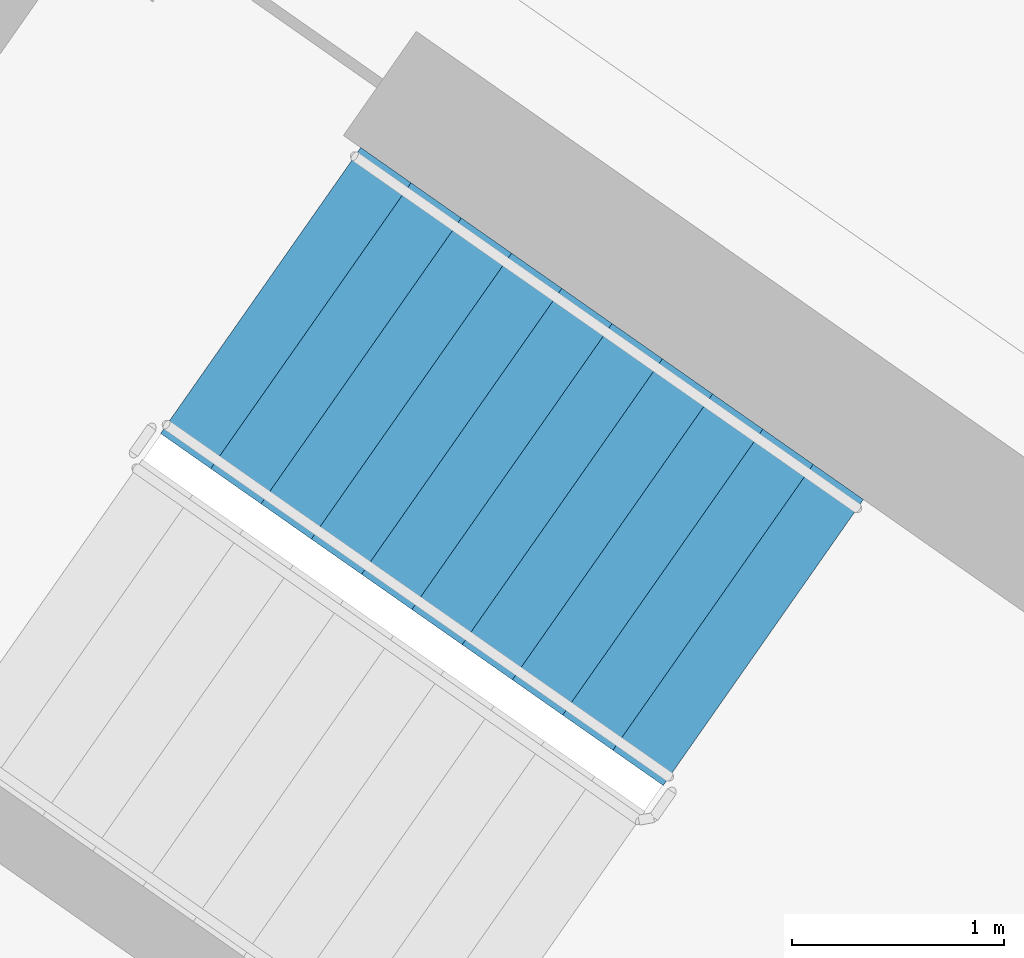
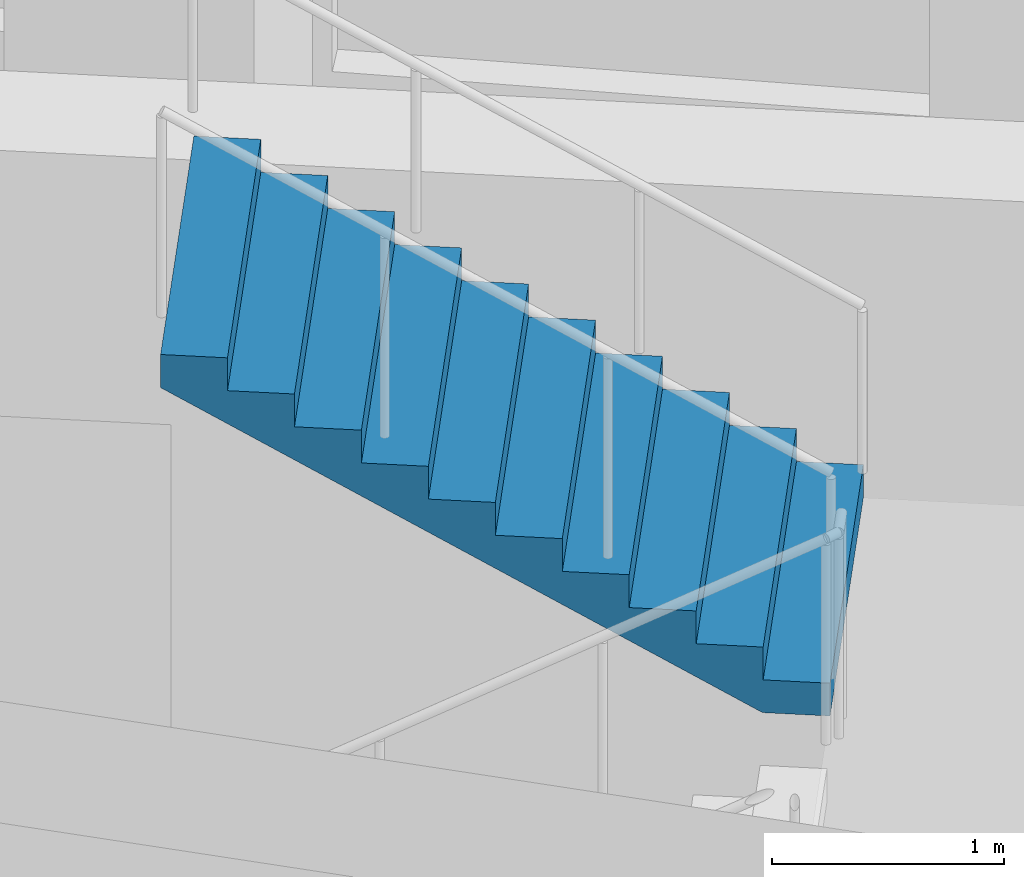
# One storey, part 12 of 27: 1 stair flight, 1 element without a shape of its own.
"""IFC4 building model written with IfcOpenShell, lengths in metres."""

from ifc_helpers import new_model, si_unit, direction, frame, origin, place, context, subcontext, project, spatial, faceted_brep, material, type_object, element, aggregate, save


model = new_model("IFC4")

# Units and contexts
model_context = context("Model", 3, precision=1e-05, world=origin(), true_north=direction((0.0, 1.0)))
body_context = subcontext(model_context, "Body", "Model", "MODEL_VIEW")
ifc_project = project(units=[si_unit("LENGTHUNIT", "METRE"), si_unit("AREAUNIT", "SQUARE_METRE"), si_unit("VOLUMEUNIT", "CUBIC_METRE"), si_unit("PLANEANGLEUNIT", "RADIAN"), si_unit("MASSUNIT", "GRAM", prefix="KILO")], contexts=[model_context])

# Site, building, storey
site_placement = place(None, origin())
site = spatial("IfcSite", under=ifc_project, at=site_placement, CompositionType="ELEMENT")
building_placement = place(site_placement, origin())
building = spatial("IfcBuilding", under=site, at=building_placement, Name="Qamariyya Broadcast Tower", CompositionType="ELEMENT")
storey_placement = place(building_placement, frame((0.0, 0.0, 191.10009765625)))
storey = spatial("IfcBuildingStorey", under=building, at=storey_placement, Name="L45", CompositionType="ELEMENT", Elevation=191.10009765625)

# Stair, stair flight
ifc_material = material(Name="Concrete C50/60", Category="concrete")
stair_type = type_object("IfcStairType", Name="Exit stair 22 risers of 173 mm", PredefinedType="HALF_TURN_STAIR", material=ifc_material)
stair_placement = place(storey_placement, origin())
stair = element("IfcStair", 1, at=stair_placement, inside=storey, type_object=stair_type, Name="L45 Stair W2", PredefinedType="HALF_TURN_STAIR")
stair_flight_type = type_object("IfcStairFlightType", Name="Exit stair flight 11 risers of 173 mm", PredefinedType="STRAIGHT", material=ifc_material)
stair_flight_placement = place(storey_placement, frame((-38.18310546875, -49.3486328125, 1.89990234375), z_axis=(0.0, 0.0, 1.0), x_axis=(-0.819152044289, 0.573576436351, 0.0)))
stair_flight = element("IfcStairFlight", 2, at=stair_flight_placement, type_object=stair_flight_type, Name="ST-W2 flight 2", NumberOfRisers=11, NumberOfTreads=10, PredefinedType="STRAIGHT", RiserHeight=0.172727273, TreadLength=0.29, context=body_context, shape_type="Brep", body=[
    faceted_brep([(0.0, 0.824951171875, 0.0), (0.0, 0.824951171875, 0.172607421875), (0.2900390625, 0.824951171875, 0.172607421875), (0.2900390625, 0.824951171875, 0.345458984375), (0.580078125, 0.824951171875, 0.345458984375), (0.580078125, 0.824951171875, 0.51806640625), (0.8701171875, 0.824951171875, 0.51806640625), (0.8701171875, 0.824951171875, 0.69091796875), (1.159912109375, 0.824951171875, 0.69091796875), (1.159912109375, 0.824951171875, 0.863525390625), (1.449951171875, 0.824951171875, 0.863525390625), (1.449951171875, 0.824951171875, 1.036376953125), (1.739990234375, 0.824951171875, 1.036376953125), (1.739990234375, 0.824951171875, 1.208984375), (2.030029296875, 0.824951171875, 1.208984375), (2.030029296875, 0.824951171875, 1.3818359375), (2.320068359375, 0.824951171875, 1.3818359375), (2.320068359375, 0.824951171875, 1.554443359375), (2.610107421875, 0.824951171875, 1.554443359375), (2.610107421875, 0.824951171875, 1.727294921875), (2.89990234375, 0.824951171875, 1.727294921875), (2.89990234375, 0.824951171875, 1.552734375), (0.29296875, 0.824951171875, 0.0), (0.29296875, -0.824951171875, 0.0), (2.89990234375, -0.824951171875, 1.552734375), (2.89990234375, -0.824951171875, 1.727294921875), (2.610107421875, -0.824951171875, 1.727294921875), (2.610107421875, -0.824951171875, 1.554443359375), (2.320068359375, -0.824951171875, 1.554443359375), (2.320068359375, -0.824951171875, 1.3818359375), (2.030029296875, -0.824951171875, 1.3818359375), (2.030029296875, -0.824951171875, 1.208984375), (1.739990234375, -0.824951171875, 1.208984375), (1.739990234375, -0.824951171875, 1.036376953125), (1.449951171875, -0.824951171875, 1.036376953125), (1.449951171875, -0.824951171875, 0.863525390625), (1.159912109375, -0.824951171875, 0.863525390625), (1.159912109375, -0.824951171875, 0.69091796875), (0.8701171875, -0.824951171875, 0.69091796875), (0.8701171875, -0.824951171875, 0.51806640625), (0.580078125, -0.824951171875, 0.51806640625), (0.580078125, -0.824951171875, 0.345458984375), (0.2900390625, -0.824951171875, 0.345458984375), (0.2900390625, -0.824951171875, 0.172607421875), (0.0, -0.824951171875, 0.172607421875), (0.0, -0.824951171875, 0.0), (0.0, 0.10009765625, 0.0), (0.0, 0.086669921875, 0.0), (0.0, 0.0732421875, 0.0), (0.0, 0.06005859375, 0.0), (0.0, 0.046630859375, 0.0), (0.0, 0.033447265625, 0.0), (0.0, 0.02001953125, 0.0), (0.0, 0.006591796875, 0.0), (0.0, -0.006591796875, 0.0), (0.0, -0.02001953125, 0.0), (0.0, -0.033447265625, 0.0), (0.0, -0.046630859375, 0.0), (0.0, -0.06005859375, 0.0), (0.0, -0.0732421875, 0.0), (0.0, -0.086669921875, 0.0), (0.0, -0.10009765625, 0.0), (0.0, -0.10009765625, 0.172607421875), (0.0, -0.086669921875, 0.172607421875), (0.0, -0.0732421875, 0.172607421875), (0.0, -0.06005859375, 0.172607421875), (0.0, -0.046630859375, 0.172607421875), (0.0, -0.033447265625, 0.172607421875), (0.0, -0.02001953125, 0.172607421875), (0.0, -0.006591796875, 0.172607421875), (0.0, 0.006591796875, 0.172607421875), (0.0, 0.02001953125, 0.172607421875), (0.0, 0.033447265625, 0.172607421875), (0.0, 0.046630859375, 0.172607421875), (0.0, 0.06005859375, 0.172607421875), (0.0, 0.0732421875, 0.172607421875), (0.0, 0.086669921875, 0.172607421875), (0.0, 0.10009765625, 0.172607421875), (0.2900390625, -0.10009765625, 0.172607421875), (0.2900390625, -0.086669921875, 0.172607421875), (0.2900390625, -0.0732421875, 0.172607421875), (0.2900390625, -0.06005859375, 0.172607421875), (0.2900390625, -0.046630859375, 0.172607421875), (0.2900390625, -0.033447265625, 0.172607421875), (0.2900390625, -0.02001953125, 0.172607421875), (0.2900390625, -0.006591796875, 0.172607421875), (0.2900390625, 0.006591796875, 0.172607421875), (0.2900390625, 0.02001953125, 0.172607421875), (0.2900390625, 0.033447265625, 0.172607421875), (0.2900390625, 0.046630859375, 0.172607421875), (0.2900390625, 0.06005859375, 0.172607421875), (0.2900390625, 0.0732421875, 0.172607421875), (0.2900390625, 0.086669921875, 0.172607421875), (0.2900390625, 0.10009765625, 0.172607421875), (0.2900390625, -0.10009765625, 0.345458984375), (0.2900390625, -0.086669921875, 0.345458984375), (0.2900390625, -0.0732421875, 0.345458984375), (0.2900390625, -0.06005859375, 0.345458984375), (0.2900390625, -0.046630859375, 0.345458984375), (0.2900390625, -0.033447265625, 0.345458984375), (0.2900390625, -0.02001953125, 0.345458984375), (0.2900390625, -0.006591796875, 0.345458984375), (0.2900390625, 0.006591796875, 0.345458984375), (0.2900390625, 0.02001953125, 0.345458984375), (0.2900390625, 0.033447265625, 0.345458984375), (0.2900390625, 0.046630859375, 0.345458984375), (0.2900390625, 0.06005859375, 0.345458984375), (0.2900390625, 0.0732421875, 0.345458984375), (0.2900390625, 0.086669921875, 0.345458984375), (0.2900390625, 0.10009765625, 0.345458984375), (0.580078125, -0.10009765625, 0.345458984375), (0.580078125, -0.086669921875, 0.345458984375), (0.580078125, -0.0732421875, 0.345458984375), (0.580078125, -0.06005859375, 0.345458984375), (0.580078125, -0.046630859375, 0.345458984375), (0.580078125, -0.033447265625, 0.345458984375), (0.580078125, -0.02001953125, 0.345458984375), (0.580078125, -0.006591796875, 0.345458984375), (0.580078125, 0.006591796875, 0.345458984375), (0.580078125, 0.02001953125, 0.345458984375), (0.580078125, 0.033447265625, 0.345458984375), (0.580078125, 0.046630859375, 0.345458984375), (0.580078125, 0.06005859375, 0.345458984375), (0.580078125, 0.0732421875, 0.345458984375), (0.580078125, 0.086669921875, 0.345458984375), (0.580078125, 0.10009765625, 0.345458984375), (0.580078125, -0.10009765625, 0.51806640625), (0.580078125, -0.086669921875, 0.51806640625), (0.580078125, -0.0732421875, 0.51806640625), (0.580078125, -0.06005859375, 0.51806640625), (0.580078125, -0.046630859375, 0.51806640625), (0.580078125, -0.033447265625, 0.51806640625), (0.580078125, -0.02001953125, 0.51806640625), (0.580078125, -0.006591796875, 0.51806640625), (0.580078125, 0.006591796875, 0.51806640625), (0.580078125, 0.02001953125, 0.51806640625), (0.580078125, 0.033447265625, 0.51806640625), (0.580078125, 0.046630859375, 0.51806640625), (0.580078125, 0.06005859375, 0.51806640625), (0.580078125, 0.0732421875, 0.51806640625), (0.580078125, 0.086669921875, 0.51806640625), (0.580078125, 0.10009765625, 0.51806640625), (0.8701171875, -0.10009765625, 0.51806640625), (0.8701171875, -0.086669921875, 0.51806640625), (0.8701171875, -0.0732421875, 0.51806640625), (0.8701171875, -0.06005859375, 0.51806640625), (0.8701171875, -0.046630859375, 0.51806640625), (0.8701171875, -0.033447265625, 0.51806640625), (0.8701171875, -0.02001953125, 0.51806640625), (0.8701171875, -0.006591796875, 0.51806640625), (0.8701171875, 0.006591796875, 0.51806640625), (0.8701171875, 0.02001953125, 0.51806640625), (0.8701171875, 0.033447265625, 0.51806640625), (0.8701171875, 0.046630859375, 0.51806640625), (0.8701171875, 0.06005859375, 0.51806640625), (0.8701171875, 0.0732421875, 0.51806640625), (0.8701171875, 0.086669921875, 0.51806640625), (0.8701171875, 0.10009765625, 0.51806640625), (0.8701171875, -0.10009765625, 0.69091796875), (0.8701171875, -0.086669921875, 0.69091796875), (0.8701171875, -0.0732421875, 0.69091796875), (0.8701171875, -0.06005859375, 0.69091796875), (0.8701171875, -0.046630859375, 0.69091796875), (0.8701171875, -0.033447265625, 0.69091796875), (0.8701171875, -0.02001953125, 0.69091796875), (0.8701171875, -0.006591796875, 0.69091796875), (0.8701171875, 0.006591796875, 0.69091796875), (0.8701171875, 0.02001953125, 0.69091796875), (0.8701171875, 0.033447265625, 0.69091796875), (0.8701171875, 0.046630859375, 0.69091796875), (0.8701171875, 0.06005859375, 0.69091796875), (0.8701171875, 0.0732421875, 0.69091796875), (0.8701171875, 0.086669921875, 0.69091796875), (0.8701171875, 0.10009765625, 0.69091796875), (1.159912109375, -0.10009765625, 0.69091796875), (1.159912109375, -0.086669921875, 0.69091796875), (1.159912109375, -0.0732421875, 0.69091796875), (1.159912109375, -0.06005859375, 0.69091796875), (1.159912109375, -0.046630859375, 0.69091796875), (1.159912109375, -0.033447265625, 0.69091796875), (1.159912109375, -0.02001953125, 0.69091796875), (1.159912109375, -0.006591796875, 0.69091796875), (1.159912109375, 0.006591796875, 0.69091796875), (1.159912109375, 0.02001953125, 0.69091796875), (1.159912109375, 0.033447265625, 0.69091796875), (1.159912109375, 0.046630859375, 0.69091796875), (1.159912109375, 0.06005859375, 0.69091796875), (1.159912109375, 0.0732421875, 0.69091796875), (1.159912109375, 0.086669921875, 0.69091796875), (1.159912109375, 0.10009765625, 0.69091796875), (1.159912109375, -0.10009765625, 0.863525390625), (1.159912109375, -0.086669921875, 0.863525390625), (1.159912109375, -0.0732421875, 0.863525390625), (1.159912109375, -0.06005859375, 0.863525390625), (1.159912109375, -0.046630859375, 0.863525390625), (1.159912109375, -0.033447265625, 0.863525390625), (1.159912109375, -0.02001953125, 0.863525390625), (1.159912109375, -0.006591796875, 0.863525390625), (1.159912109375, 0.006591796875, 0.863525390625), (1.159912109375, 0.02001953125, 0.863525390625), (1.159912109375, 0.033447265625, 0.863525390625), (1.159912109375, 0.046630859375, 0.863525390625), (1.159912109375, 0.06005859375, 0.863525390625), (1.159912109375, 0.0732421875, 0.863525390625), (1.159912109375, 0.086669921875, 0.863525390625), (1.159912109375, 0.10009765625, 0.863525390625), (1.449951171875, -0.10009765625, 0.863525390625), (1.449951171875, -0.086669921875, 0.863525390625), (1.449951171875, -0.0732421875, 0.863525390625), (1.449951171875, -0.06005859375, 0.863525390625), (1.449951171875, -0.046630859375, 0.863525390625), (1.449951171875, -0.033447265625, 0.863525390625), (1.449951171875, -0.02001953125, 0.863525390625), (1.449951171875, -0.006591796875, 0.863525390625), (1.449951171875, 0.006591796875, 0.863525390625), (1.449951171875, 0.02001953125, 0.863525390625), (1.449951171875, 0.033447265625, 0.863525390625), (1.449951171875, 0.046630859375, 0.863525390625), (1.449951171875, 0.06005859375, 0.863525390625), (1.449951171875, 0.0732421875, 0.863525390625), (1.449951171875, 0.086669921875, 0.863525390625), (1.449951171875, 0.10009765625, 0.863525390625), (1.449951171875, -0.10009765625, 1.036376953125), (1.449951171875, -0.086669921875, 1.036376953125), (1.449951171875, -0.0732421875, 1.036376953125), (1.449951171875, -0.06005859375, 1.036376953125), (1.449951171875, -0.046630859375, 1.036376953125), (1.449951171875, -0.033447265625, 1.036376953125), (1.449951171875, -0.02001953125, 1.036376953125), (1.449951171875, -0.006591796875, 1.036376953125), (1.449951171875, 0.006591796875, 1.036376953125), (1.449951171875, 0.02001953125, 1.036376953125), (1.449951171875, 0.033447265625, 1.036376953125), (1.449951171875, 0.046630859375, 1.036376953125), (1.449951171875, 0.06005859375, 1.036376953125), (1.449951171875, 0.0732421875, 1.036376953125), (1.449951171875, 0.086669921875, 1.036376953125), (1.449951171875, 0.10009765625, 1.036376953125), (1.739990234375, -0.10009765625, 1.036376953125), (1.739990234375, -0.086669921875, 1.036376953125), (1.739990234375, -0.0732421875, 1.036376953125), (1.739990234375, -0.06005859375, 1.036376953125), (1.739990234375, -0.046630859375, 1.036376953125), (1.739990234375, -0.033447265625, 1.036376953125), (1.739990234375, -0.02001953125, 1.036376953125), (1.739990234375, -0.006591796875, 1.036376953125), (1.739990234375, 0.006591796875, 1.036376953125), (1.739990234375, 0.02001953125, 1.036376953125), (1.739990234375, 0.033447265625, 1.036376953125), (1.739990234375, 0.046630859375, 1.036376953125), (1.739990234375, 0.06005859375, 1.036376953125), (1.739990234375, 0.0732421875, 1.036376953125), (1.739990234375, 0.086669921875, 1.036376953125), (1.739990234375, 0.10009765625, 1.036376953125), (1.739990234375, -0.10009765625, 1.208984375), (1.739990234375, -0.086669921875, 1.208984375), (1.739990234375, -0.0732421875, 1.208984375), (1.739990234375, -0.06005859375, 1.208984375), (1.739990234375, -0.046630859375, 1.208984375), (1.739990234375, -0.033447265625, 1.208984375), (1.739990234375, -0.02001953125, 1.208984375), (1.739990234375, -0.006591796875, 1.208984375), (1.739990234375, 0.006591796875, 1.208984375), (1.739990234375, 0.02001953125, 1.208984375), (1.739990234375, 0.033447265625, 1.208984375), (1.739990234375, 0.046630859375, 1.208984375), (1.739990234375, 0.06005859375, 1.208984375), (1.739990234375, 0.0732421875, 1.208984375), (1.739990234375, 0.086669921875, 1.208984375), (1.739990234375, 0.10009765625, 1.208984375), (2.030029296875, -0.10009765625, 1.208984375), (2.030029296875, -0.086669921875, 1.208984375), (2.030029296875, -0.0732421875, 1.208984375), (2.030029296875, -0.06005859375, 1.208984375), (2.030029296875, -0.046630859375, 1.208984375), (2.030029296875, -0.033447265625, 1.208984375), (2.030029296875, -0.02001953125, 1.208984375), (2.030029296875, -0.006591796875, 1.208984375), (2.030029296875, 0.006591796875, 1.208984375), (2.030029296875, 0.02001953125, 1.208984375), (2.030029296875, 0.033447265625, 1.208984375), (2.030029296875, 0.046630859375, 1.208984375), (2.030029296875, 0.06005859375, 1.208984375), (2.030029296875, 0.0732421875, 1.208984375), (2.030029296875, 0.086669921875, 1.208984375), (2.030029296875, 0.10009765625, 1.208984375), (2.030029296875, -0.10009765625, 1.3818359375), (2.030029296875, -0.086669921875, 1.3818359375), (2.030029296875, -0.0732421875, 1.3818359375), (2.030029296875, -0.06005859375, 1.3818359375), (2.030029296875, -0.046630859375, 1.3818359375), (2.030029296875, -0.033447265625, 1.3818359375), (2.030029296875, -0.02001953125, 1.3818359375), (2.030029296875, -0.006591796875, 1.3818359375), (2.030029296875, 0.006591796875, 1.3818359375), (2.030029296875, 0.02001953125, 1.3818359375), (2.030029296875, 0.033447265625, 1.3818359375), (2.030029296875, 0.046630859375, 1.3818359375), (2.030029296875, 0.06005859375, 1.3818359375), (2.030029296875, 0.0732421875, 1.3818359375), (2.030029296875, 0.086669921875, 1.3818359375), (2.030029296875, 0.10009765625, 1.3818359375), (2.320068359375, -0.10009765625, 1.3818359375), (2.320068359375, -0.086669921875, 1.3818359375), (2.320068359375, -0.0732421875, 1.3818359375), (2.320068359375, -0.06005859375, 1.3818359375), (2.320068359375, -0.046630859375, 1.3818359375), (2.320068359375, -0.033447265625, 1.3818359375), (2.320068359375, -0.02001953125, 1.3818359375), (2.320068359375, -0.006591796875, 1.3818359375), (2.320068359375, 0.006591796875, 1.3818359375), (2.320068359375, 0.02001953125, 1.3818359375), (2.320068359375, 0.033447265625, 1.3818359375), (2.320068359375, 0.046630859375, 1.3818359375), (2.320068359375, 0.06005859375, 1.3818359375), (2.320068359375, 0.0732421875, 1.3818359375), (2.320068359375, 0.086669921875, 1.3818359375), (2.320068359375, 0.10009765625, 1.3818359375), (2.320068359375, -0.10009765625, 1.554443359375), (2.320068359375, -0.086669921875, 1.554443359375), (2.320068359375, -0.0732421875, 1.554443359375), (2.320068359375, -0.06005859375, 1.554443359375), (2.320068359375, -0.046630859375, 1.554443359375), (2.320068359375, -0.033447265625, 1.554443359375), (2.320068359375, -0.02001953125, 1.554443359375), (2.320068359375, -0.006591796875, 1.554443359375), (2.320068359375, 0.006591796875, 1.554443359375), (2.320068359375, 0.02001953125, 1.554443359375), (2.320068359375, 0.033447265625, 1.554443359375), (2.320068359375, 0.046630859375, 1.554443359375), (2.320068359375, 0.06005859375, 1.554443359375), (2.320068359375, 0.0732421875, 1.554443359375), (2.320068359375, 0.086669921875, 1.554443359375), (2.320068359375, 0.10009765625, 1.554443359375), (2.610107421875, -0.10009765625, 1.554443359375), (2.610107421875, -0.086669921875, 1.554443359375), (2.610107421875, -0.0732421875, 1.554443359375), (2.610107421875, -0.06005859375, 1.554443359375), (2.610107421875, -0.046630859375, 1.554443359375), (2.610107421875, -0.033447265625, 1.554443359375), (2.610107421875, -0.02001953125, 1.554443359375), (2.610107421875, -0.006591796875, 1.554443359375), (2.610107421875, 0.006591796875, 1.554443359375), (2.610107421875, 0.02001953125, 1.554443359375), (2.610107421875, 0.033447265625, 1.554443359375), (2.610107421875, 0.046630859375, 1.554443359375), (2.610107421875, 0.06005859375, 1.554443359375), (2.610107421875, 0.0732421875, 1.554443359375), (2.610107421875, 0.086669921875, 1.554443359375), (2.610107421875, 0.10009765625, 1.554443359375), (2.610107421875, -0.10009765625, 1.727294921875), (2.610107421875, -0.086669921875, 1.727294921875), (2.610107421875, -0.0732421875, 1.727294921875), (2.610107421875, -0.06005859375, 1.727294921875), (2.610107421875, -0.046630859375, 1.727294921875), (2.610107421875, -0.033447265625, 1.727294921875), (2.610107421875, -0.02001953125, 1.727294921875), (2.610107421875, -0.006591796875, 1.727294921875), (2.610107421875, 0.006591796875, 1.727294921875), (2.610107421875, 0.02001953125, 1.727294921875), (2.610107421875, 0.033447265625, 1.727294921875), (2.610107421875, 0.046630859375, 1.727294921875), (2.610107421875, 0.06005859375, 1.727294921875), (2.610107421875, 0.0732421875, 1.727294921875), (2.610107421875, 0.086669921875, 1.727294921875), (2.610107421875, 0.10009765625, 1.727294921875), (2.89990234375, -0.10009765625, 1.727294921875), (2.89990234375, -0.086669921875, 1.727294921875), (2.89990234375, -0.0732421875, 1.727294921875), (2.89990234375, -0.06005859375, 1.727294921875), (2.89990234375, -0.046630859375, 1.727294921875), (2.89990234375, -0.033447265625, 1.727294921875), (2.89990234375, -0.02001953125, 1.727294921875), (2.89990234375, -0.006591796875, 1.727294921875), (2.89990234375, 0.006591796875, 1.727294921875), (2.89990234375, 0.02001953125, 1.727294921875), (2.89990234375, 0.033447265625, 1.727294921875), (2.89990234375, 0.046630859375, 1.727294921875), (2.89990234375, 0.06005859375, 1.727294921875), (2.89990234375, 0.0732421875, 1.727294921875), (2.89990234375, 0.086669921875, 1.727294921875), (2.89990234375, 0.10009765625, 1.727294921875), (2.89990234375, -0.10009765625, 1.552734375), (2.89990234375, -0.086669921875, 1.552734375), (2.89990234375, -0.0732421875, 1.552734375), (2.89990234375, -0.06005859375, 1.552734375), (2.89990234375, -0.046630859375, 1.552734375), (2.89990234375, -0.033447265625, 1.552734375), (2.89990234375, -0.02001953125, 1.552734375), (2.89990234375, -0.006591796875, 1.552734375), (2.89990234375, 0.006591796875, 1.552734375), (2.89990234375, 0.02001953125, 1.552734375), (2.89990234375, 0.033447265625, 1.552734375), (2.89990234375, 0.046630859375, 1.552734375), (2.89990234375, 0.06005859375, 1.552734375), (2.89990234375, 0.0732421875, 1.552734375), (2.89990234375, 0.086669921875, 1.552734375), (2.89990234375, 0.10009765625, 1.552734375), (0.29296875, -0.10009765625, 0.0), (0.29296875, -0.086669921875, 0.0), (0.29296875, -0.0732421875, 0.0), (0.29296875, -0.06005859375, 0.0), (0.29296875, -0.046630859375, 0.0), (0.29296875, -0.033447265625, 0.0), (0.29296875, -0.02001953125, 0.0), (0.29296875, -0.006591796875, 0.0), (0.29296875, 0.006591796875, 0.0), (0.29296875, 0.02001953125, 0.0), (0.29296875, 0.033447265625, 0.0), (0.29296875, 0.046630859375, 0.0), (0.29296875, 0.06005859375, 0.0), (0.29296875, 0.0732421875, 0.0), (0.29296875, 0.086669921875, 0.0), (0.29296875, 0.10009765625, 0.0)], [[[0, 1, 2, 3, 4, 5, 6, 7, 8, 9, 10, 11, 12, 13, 14, 15, 16, 17, 18, 19, 20, 21, 22]], [[23, 24, 25, 26, 27, 28, 29, 30, 31, 32, 33, 34, 35, 36, 37, 38, 39, 40, 41, 42, 43, 44, 45]], [[0, 46, 47, 48, 49, 50, 51, 52, 53, 54, 55, 56, 57, 58, 59, 60, 61, 45, 44, 62, 63, 64, 65, 66, 67, 68, 69, 70, 71, 72, 73, 74, 75, 76, 77, 1]], [[1, 77, 76, 75, 74, 73, 72, 71, 70, 69, 68, 67, 66, 65, 64, 63, 62, 44, 43, 78, 79, 80, 81, 82, 83, 84, 85, 86, 87, 88, 89, 90, 91, 92, 93, 2]], [[2, 93, 92, 91, 90, 89, 88, 87, 86, 85, 84, 83, 82, 81, 80, 79, 78, 43, 42, 94, 95, 96, 97, 98, 99, 100, 101, 102, 103, 104, 105, 106, 107, 108, 109, 3]], [[3, 109, 108, 107, 106, 105, 104, 103, 102, 101, 100, 99, 98, 97, 96, 95, 94, 42, 41, 110, 111, 112, 113, 114, 115, 116, 117, 118, 119, 120, 121, 122, 123, 124, 125, 4]], [[4, 125, 124, 123, 122, 121, 120, 119, 118, 117, 116, 115, 114, 113, 112, 111, 110, 41, 40, 126, 127, 128, 129, 130, 131, 132, 133, 134, 135, 136, 137, 138, 139, 140, 141, 5]], [[5, 141, 140, 139, 138, 137, 136, 135, 134, 133, 132, 131, 130, 129, 128, 127, 126, 40, 39, 142, 143, 144, 145, 146, 147, 148, 149, 150, 151, 152, 153, 154, 155, 156, 157, 6]], [[6, 157, 156, 155, 154, 153, 152, 151, 150, 149, 148, 147, 146, 145, 144, 143, 142, 39, 38, 158, 159, 160, 161, 162, 163, 164, 165, 166, 167, 168, 169, 170, 171, 172, 173, 7]], [[7, 173, 172, 171, 170, 169, 168, 167, 166, 165, 164, 163, 162, 161, 160, 159, 158, 38, 37, 174, 175, 176, 177, 178, 179, 180, 181, 182, 183, 184, 185, 186, 187, 188, 189, 8]], [[8, 189, 188, 187, 186, 185, 184, 183, 182, 181, 180, 179, 178, 177, 176, 175, 174, 37, 36, 190, 191, 192, 193, 194, 195, 196, 197, 198, 199, 200, 201, 202, 203, 204, 205, 9]], [[9, 205, 204, 203, 202, 201, 200, 199, 198, 197, 196, 195, 194, 193, 192, 191, 190, 36, 35, 206, 207, 208, 209, 210, 211, 212, 213, 214, 215, 216, 217, 218, 219, 220, 221, 10]], [[10, 221, 220, 219, 218, 217, 216, 215, 214, 213, 212, 211, 210, 209, 208, 207, 206, 35, 34, 222, 223, 224, 225, 226, 227, 228, 229, 230, 231, 232, 233, 234, 235, 236, 237, 11]], [[11, 237, 236, 235, 234, 233, 232, 231, 230, 229, 228, 227, 226, 225, 224, 223, 222, 34, 33, 238, 239, 240, 241, 242, 243, 244, 245, 246, 247, 248, 249, 250, 251, 252, 253, 12]], [[12, 253, 252, 251, 250, 249, 248, 247, 246, 245, 244, 243, 242, 241, 240, 239, 238, 33, 32, 254, 255, 256, 257, 258, 259, 260, 261, 262, 263, 264, 265, 266, 267, 268, 269, 13]], [[13, 269, 268, 267, 266, 265, 264, 263, 262, 261, 260, 259, 258, 257, 256, 255, 254, 32, 31, 270, 271, 272, 273, 274, 275, 276, 277, 278, 279, 280, 281, 282, 283, 284, 285, 14]], [[14, 285, 284, 283, 282, 281, 280, 279, 278, 277, 276, 275, 274, 273, 272, 271, 270, 31, 30, 286, 287, 288, 289, 290, 291, 292, 293, 294, 295, 296, 297, 298, 299, 300, 301, 15]], [[15, 301, 300, 299, 298, 297, 296, 295, 294, 293, 292, 291, 290, 289, 288, 287, 286, 30, 29, 302, 303, 304, 305, 306, 307, 308, 309, 310, 311, 312, 313, 314, 315, 316, 317, 16]], [[16, 317, 316, 315, 314, 313, 312, 311, 310, 309, 308, 307, 306, 305, 304, 303, 302, 29, 28, 318, 319, 320, 321, 322, 323, 324, 325, 326, 327, 328, 329, 330, 331, 332, 333, 17]], [[17, 333, 332, 331, 330, 329, 328, 327, 326, 325, 324, 323, 322, 321, 320, 319, 318, 28, 27, 334, 335, 336, 337, 338, 339, 340, 341, 342, 343, 344, 345, 346, 347, 348, 349, 18]], [[18, 349, 348, 347, 346, 345, 344, 343, 342, 341, 340, 339, 338, 337, 336, 335, 334, 27, 26, 350, 351, 352, 353, 354, 355, 356, 357, 358, 359, 360, 361, 362, 363, 364, 365, 19]], [[19, 365, 364, 363, 362, 361, 360, 359, 358, 357, 356, 355, 354, 353, 352, 351, 350, 26, 25, 366, 367, 368, 369, 370, 371, 372, 373, 374, 375, 376, 377, 378, 379, 380, 381, 20]], [[20, 381, 380, 379, 378, 377, 376, 375, 374, 373, 372, 371, 370, 369, 368, 367, 366, 25, 24, 382, 383, 384, 385, 386, 387, 388, 389, 390, 391, 392, 393, 394, 395, 396, 397, 21]], [[21, 397, 396, 395, 394, 393, 392, 391, 390, 389, 388, 387, 386, 385, 384, 383, 382, 24, 23, 398, 399, 400, 401, 402, 403, 404, 405, 406, 407, 408, 409, 410, 411, 412, 413, 22]], [[22, 413, 412, 411, 410, 409, 408, 407, 406, 405, 404, 403, 402, 401, 400, 399, 398, 23, 45, 61, 60, 59, 58, 57, 56, 55, 54, 53, 52, 51, 50, 49, 48, 47, 46, 0]]]),
])
aggregate(stair, [stair_flight])

save(model, "model.ifc")
